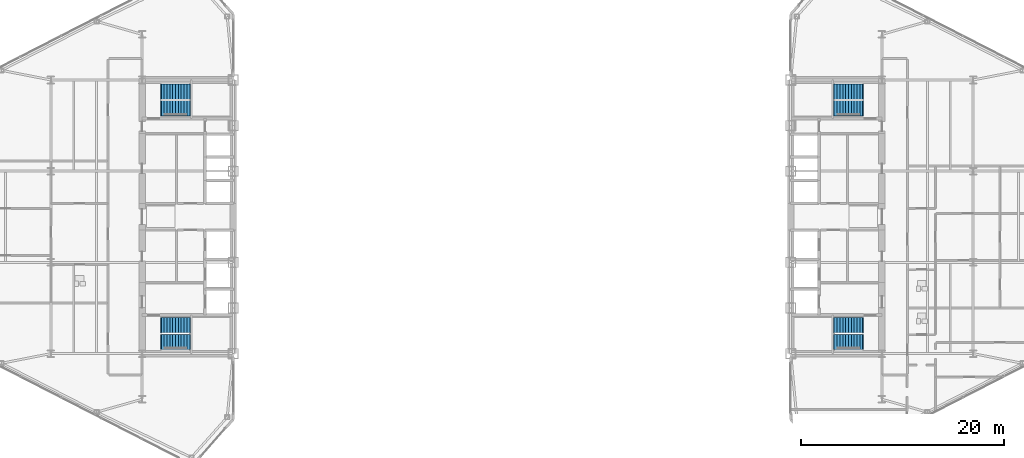
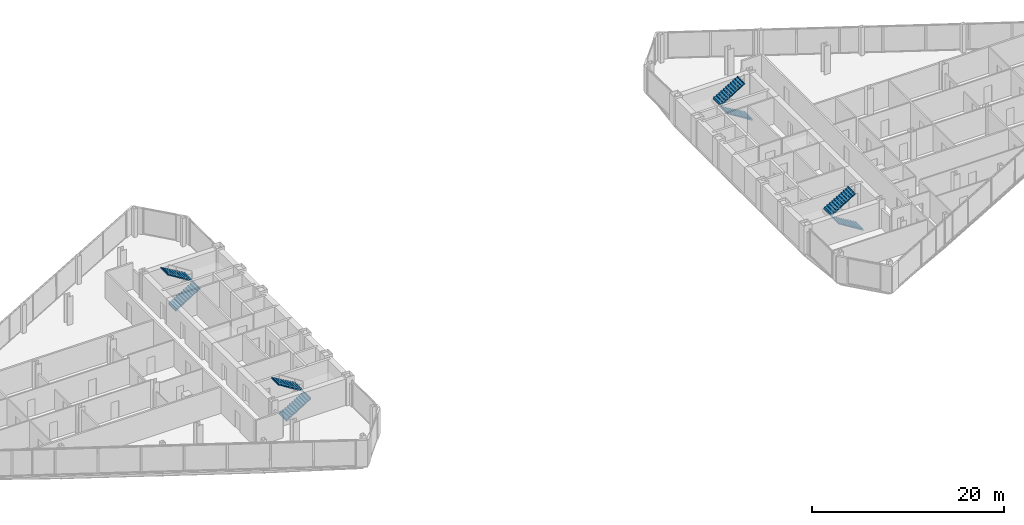
# One storey, part 21 of 23: 8 stair flights, 4 elements without a shape of their own.
"""IFC4 building model written with IfcOpenShell, lengths in metres."""

from ifc_helpers import new_model, si_unit, direction, frame, origin, place, context, subcontext, project, spatial, polyline, outline, extrude, material, type_object, element, aggregate, save


model = new_model("IFC4")

# Units and contexts
model_context = context("Model", 3, precision=1e-05, world=origin(), true_north=direction((0.0, 1.0)))
body_context = subcontext(model_context, "Body", "Model", "MODEL_VIEW")
ifc_project = project(units=[si_unit("LENGTHUNIT", "METRE"), si_unit("AREAUNIT", "SQUARE_METRE"), si_unit("VOLUMEUNIT", "CUBIC_METRE"), si_unit("PLANEANGLEUNIT", "RADIAN"), si_unit("MASSUNIT", "GRAM", prefix="KILO")], contexts=[model_context])

# Site, building, storey
site_placement = place(None, origin())
site = spatial("IfcSite", under=ifc_project, at=site_placement, CompositionType="ELEMENT")
building_placement = place(site_placement, origin())
building = spatial("IfcBuilding", under=site, at=building_placement, Name="Seokmaru Belvedere", CompositionType="ELEMENT")
storey_placement = place(building_placement, frame((0.0, 0.0, 132.0)))
storey = spatial("IfcBuildingStorey", under=building, at=storey_placement, Name="L35", CompositionType="ELEMENT", Elevation=132.0)

# Stair, stair flights
ifc_material = material(Name="Concrete C40 (40 MPa)", Category="concrete")
stair_type = type_object("IfcStairType", Name="Typical Tower Core Dog-Leg Stair 3600", PredefinedType="TWO_STRAIGHT_RUN_STAIR", material=ifc_material)
stair_1_placement = place(storey_placement, origin())
stair_1 = element("IfcStair", 1, at=stair_1_placement, inside=storey, type_object=stair_type, Name="L35 Special Escape Stair ST-W1", PredefinedType="TWO_STRAIGHT_RUN_STAIR")
stair_flight_type = type_object("IfcStairFlightType", Name="Reinforced Concrete Stair Flight 1500", PredefinedType="STRAIGHT", material=ifc_material)
stair_flight_1_placement = place(storey_placement, frame((-34.60009765625, -12.35009765625, 0.0), z_axis=(0.0, 0.0, 1.0), x_axis=(1.0, 0.0, 0.0)))
stair_flight_1 = element("IfcStairFlight", 2, at=stair_flight_1_placement, type_object=stair_flight_type, Name="ST-W1 flight 1", NumberOfRisers=11, NumberOfTreads=10, PredefinedType="STRAIGHT", RiserHeight=0.163636364, TreadLength=0.28, context=body_context, shape_type="SweptSolid", body=[
    extrude(outline(polyline([(-0.080078125, 0.0), (0.0, 0.16357421875), (0.280029296875, 0.16357421875), (0.280029296875, 0.327392578125), (0.56005859375, 0.327392578125), (0.56005859375, 0.490966796875), (0.840087890625, 0.490966796875), (0.840087890625, 0.654541015625), (1.1201171875, 0.654541015625), (1.1201171875, 0.818115234375), (1.39990234375, 0.818115234375), (1.39990234375, 0.98193359375), (1.679931640625, 0.98193359375), (1.679931640625, 1.1455078125), (1.9599609375, 1.1455078125), (1.9599609375, 1.30908203125), (2.239990234375, 1.30908203125), (2.239990234375, 1.47265625), (2.52001953125, 1.47265625), (2.52001953125, 1.636474609375), (2.800048828125, 1.636474609375), (2.800048828125, 1.800048828125), (2.8798828125, 1.800048828125), (2.8798828125, 1.610107421875), (2.800048828125, 1.610107421875), (0.0, -0.159912109375), (-0.080078125, -0.159912109375), (-0.080078125, 0.0)])), frame((0.0, 0.75, 0.0), z_axis=(0.0, -1.0, 0.0), x_axis=(1.0, 0.0, 0.0)), (0.0, 0.0, 1.0), 1.5),
])
stair_flight_2_placement = place(storey_placement, frame((-31.800048828125, -10.7099609375, 1.800048828125), z_axis=(0.0, 0.0, 1.0), x_axis=(-1.0, 0.0, 0.0)))
stair_flight_2 = element("IfcStairFlight", 3, at=stair_flight_2_placement, type_object=stair_flight_type, Name="ST-W1 flight 2", NumberOfRisers=11, NumberOfTreads=10, PredefinedType="STRAIGHT", RiserHeight=0.163636364, TreadLength=0.28, context=body_context, shape_type="SweptSolid", body=[
    extrude(outline(polyline([(-0.080078125, 0.0), (0.0, 0.16357421875), (0.280029296875, 0.16357421875), (0.280029296875, 0.327392578125), (0.56005859375, 0.327392578125), (0.56005859375, 0.490966796875), (0.840087890625, 0.490966796875), (0.840087890625, 0.654541015625), (1.1201171875, 0.654541015625), (1.1201171875, 0.818115234375), (1.39990234375, 0.818115234375), (1.39990234375, 0.98193359375), (1.679931640625, 0.98193359375), (1.679931640625, 1.1455078125), (1.9599609375, 1.1455078125), (1.9599609375, 1.30908203125), (2.239990234375, 1.30908203125), (2.239990234375, 1.47265625), (2.52001953125, 1.47265625), (2.52001953125, 1.636474609375), (2.800048828125, 1.636474609375), (2.800048828125, 1.800048828125), (2.8798828125, 1.800048828125), (2.8798828125, 1.610107421875), (2.800048828125, 1.610107421875), (0.0, -0.159912109375), (-0.080078125, -0.159912109375), (-0.080078125, 0.0)])), frame((0.0, 0.75, 0.0), z_axis=(0.0, -1.0, 0.0), x_axis=(1.0, 0.0, 0.0)), (0.0, 0.0, 1.0), 1.5),
])
aggregate(stair_1, [stair_flight_1, stair_flight_2])

stair_2_placement = place(storey_placement, origin())
stair_2 = element("IfcStair", 4, at=stair_2_placement, inside=storey, type_object=stair_type, Name="L35 Special Escape Stair ST-W2", PredefinedType="TWO_STRAIGHT_RUN_STAIR")
stair_flight_3_placement = place(storey_placement, frame((-34.60009765625, 10.7099609375, 0.0), z_axis=(0.0, 0.0, 1.0), x_axis=(1.0, 0.0, 0.0)))
stair_flight_3 = element("IfcStairFlight", 5, at=stair_flight_3_placement, type_object=stair_flight_type, Name="ST-W2 flight 1", NumberOfRisers=11, NumberOfTreads=10, PredefinedType="STRAIGHT", RiserHeight=0.163636364, TreadLength=0.28, context=body_context, shape_type="SweptSolid", body=[
    extrude(outline(polyline([(-0.080078125, 0.0), (0.0, 0.16357421875), (0.280029296875, 0.16357421875), (0.280029296875, 0.327392578125), (0.56005859375, 0.327392578125), (0.56005859375, 0.490966796875), (0.840087890625, 0.490966796875), (0.840087890625, 0.654541015625), (1.1201171875, 0.654541015625), (1.1201171875, 0.818115234375), (1.39990234375, 0.818115234375), (1.39990234375, 0.98193359375), (1.679931640625, 0.98193359375), (1.679931640625, 1.1455078125), (1.9599609375, 1.1455078125), (1.9599609375, 1.30908203125), (2.239990234375, 1.30908203125), (2.239990234375, 1.47265625), (2.52001953125, 1.47265625), (2.52001953125, 1.636474609375), (2.800048828125, 1.636474609375), (2.800048828125, 1.800048828125), (2.8798828125, 1.800048828125), (2.8798828125, 1.610107421875), (2.800048828125, 1.610107421875), (0.0, -0.159912109375), (-0.080078125, -0.159912109375), (-0.080078125, 0.0)])), frame((0.0, 0.75, 0.0), z_axis=(0.0, -1.0, 0.0), x_axis=(1.0, 0.0, 0.0)), (0.0, 0.0, 1.0), 1.5),
])
stair_flight_4_placement = place(storey_placement, frame((-31.800048828125, 12.35009765625, 1.800048828125), z_axis=(0.0, 0.0, 1.0), x_axis=(-1.0, 0.0, 0.0)))
stair_flight_4 = element("IfcStairFlight", 6, at=stair_flight_4_placement, type_object=stair_flight_type, Name="ST-W2 flight 2", NumberOfRisers=11, NumberOfTreads=10, PredefinedType="STRAIGHT", RiserHeight=0.163636364, TreadLength=0.28, context=body_context, shape_type="SweptSolid", body=[
    extrude(outline(polyline([(-0.080078125, 0.0), (0.0, 0.16357421875), (0.280029296875, 0.16357421875), (0.280029296875, 0.327392578125), (0.56005859375, 0.327392578125), (0.56005859375, 0.490966796875), (0.840087890625, 0.490966796875), (0.840087890625, 0.654541015625), (1.1201171875, 0.654541015625), (1.1201171875, 0.818115234375), (1.39990234375, 0.818115234375), (1.39990234375, 0.98193359375), (1.679931640625, 0.98193359375), (1.679931640625, 1.1455078125), (1.9599609375, 1.1455078125), (1.9599609375, 1.30908203125), (2.239990234375, 1.30908203125), (2.239990234375, 1.47265625), (2.52001953125, 1.47265625), (2.52001953125, 1.636474609375), (2.800048828125, 1.636474609375), (2.800048828125, 1.800048828125), (2.8798828125, 1.800048828125), (2.8798828125, 1.610107421875), (2.800048828125, 1.610107421875), (0.0, -0.159912109375), (-0.080078125, -0.159912109375), (-0.080078125, 0.0)])), frame((0.0, 0.75, 0.0), z_axis=(0.0, -1.0, 0.0), x_axis=(1.0, 0.0, 0.0)), (0.0, 0.0, 1.0), 1.5),
])
aggregate(stair_2, [stair_flight_3, stair_flight_4])

stair_3_placement = place(storey_placement, origin())
stair_3 = element("IfcStair", 7, at=stair_3_placement, inside=storey, type_object=stair_type, Name="L35 Special Escape Stair ST-E1", PredefinedType="TWO_STRAIGHT_RUN_STAIR")
stair_flight_5_placement = place(storey_placement, frame((34.60009765625, -12.35009765625, 0.0), z_axis=(0.0, 0.0, 1.0), x_axis=(-1.0, 0.0, 0.0)))
stair_flight_5 = element("IfcStairFlight", 8, at=stair_flight_5_placement, type_object=stair_flight_type, Name="ST-E1 flight 1", NumberOfRisers=11, NumberOfTreads=10, PredefinedType="STRAIGHT", RiserHeight=0.163636364, TreadLength=0.28, context=body_context, shape_type="SweptSolid", body=[
    extrude(outline(polyline([(-0.080078125, 0.0), (0.0, 0.16357421875), (0.280029296875, 0.16357421875), (0.280029296875, 0.327392578125), (0.56005859375, 0.327392578125), (0.56005859375, 0.490966796875), (0.840087890625, 0.490966796875), (0.840087890625, 0.654541015625), (1.1201171875, 0.654541015625), (1.1201171875, 0.818115234375), (1.39990234375, 0.818115234375), (1.39990234375, 0.98193359375), (1.679931640625, 0.98193359375), (1.679931640625, 1.1455078125), (1.9599609375, 1.1455078125), (1.9599609375, 1.30908203125), (2.239990234375, 1.30908203125), (2.239990234375, 1.47265625), (2.52001953125, 1.47265625), (2.52001953125, 1.636474609375), (2.800048828125, 1.636474609375), (2.800048828125, 1.800048828125), (2.8798828125, 1.800048828125), (2.8798828125, 1.610107421875), (2.800048828125, 1.610107421875), (0.0, -0.159912109375), (-0.080078125, -0.159912109375), (-0.080078125, 0.0)])), frame((0.0, 0.75, 0.0), z_axis=(0.0, -1.0, 0.0), x_axis=(1.0, 0.0, 0.0)), (0.0, 0.0, 1.0), 1.5),
])
stair_flight_6_placement = place(storey_placement, frame((31.800048828125, -10.7099609375, 1.800048828125), z_axis=(0.0, 0.0, 1.0), x_axis=(1.0, 0.0, 0.0)))
stair_flight_6 = element("IfcStairFlight", 9, at=stair_flight_6_placement, type_object=stair_flight_type, Name="ST-E1 flight 2", NumberOfRisers=11, NumberOfTreads=10, PredefinedType="STRAIGHT", RiserHeight=0.163636364, TreadLength=0.28, context=body_context, shape_type="SweptSolid", body=[
    extrude(outline(polyline([(-0.080078125, 0.0), (0.0, 0.16357421875), (0.280029296875, 0.16357421875), (0.280029296875, 0.327392578125), (0.56005859375, 0.327392578125), (0.56005859375, 0.490966796875), (0.840087890625, 0.490966796875), (0.840087890625, 0.654541015625), (1.1201171875, 0.654541015625), (1.1201171875, 0.818115234375), (1.39990234375, 0.818115234375), (1.39990234375, 0.98193359375), (1.679931640625, 0.98193359375), (1.679931640625, 1.1455078125), (1.9599609375, 1.1455078125), (1.9599609375, 1.30908203125), (2.239990234375, 1.30908203125), (2.239990234375, 1.47265625), (2.52001953125, 1.47265625), (2.52001953125, 1.636474609375), (2.800048828125, 1.636474609375), (2.800048828125, 1.800048828125), (2.8798828125, 1.800048828125), (2.8798828125, 1.610107421875), (2.800048828125, 1.610107421875), (0.0, -0.159912109375), (-0.080078125, -0.159912109375), (-0.080078125, 0.0)])), frame((0.0, 0.75, 0.0), z_axis=(0.0, -1.0, 0.0), x_axis=(1.0, 0.0, 0.0)), (0.0, 0.0, 1.0), 1.5),
])
aggregate(stair_3, [stair_flight_5, stair_flight_6])

stair_4_placement = place(storey_placement, origin())
stair_4 = element("IfcStair", 10, at=stair_4_placement, inside=storey, type_object=stair_type, Name="L35 Special Escape Stair ST-E2", PredefinedType="TWO_STRAIGHT_RUN_STAIR")
stair_flight_7_placement = place(storey_placement, frame((34.60009765625, 10.7099609375, 0.0), z_axis=(0.0, 0.0, 1.0), x_axis=(-1.0, 0.0, 0.0)))
stair_flight_7 = element("IfcStairFlight", 11, at=stair_flight_7_placement, type_object=stair_flight_type, Name="ST-E2 flight 1", NumberOfRisers=11, NumberOfTreads=10, PredefinedType="STRAIGHT", RiserHeight=0.163636364, TreadLength=0.28, context=body_context, shape_type="SweptSolid", body=[
    extrude(outline(polyline([(-0.080078125, 0.0), (0.0, 0.16357421875), (0.280029296875, 0.16357421875), (0.280029296875, 0.327392578125), (0.56005859375, 0.327392578125), (0.56005859375, 0.490966796875), (0.840087890625, 0.490966796875), (0.840087890625, 0.654541015625), (1.1201171875, 0.654541015625), (1.1201171875, 0.818115234375), (1.39990234375, 0.818115234375), (1.39990234375, 0.98193359375), (1.679931640625, 0.98193359375), (1.679931640625, 1.1455078125), (1.9599609375, 1.1455078125), (1.9599609375, 1.30908203125), (2.239990234375, 1.30908203125), (2.239990234375, 1.47265625), (2.52001953125, 1.47265625), (2.52001953125, 1.636474609375), (2.800048828125, 1.636474609375), (2.800048828125, 1.800048828125), (2.8798828125, 1.800048828125), (2.8798828125, 1.610107421875), (2.800048828125, 1.610107421875), (0.0, -0.159912109375), (-0.080078125, -0.159912109375), (-0.080078125, 0.0)])), frame((0.0, 0.75, 0.0), z_axis=(0.0, -1.0, 0.0), x_axis=(1.0, 0.0, 0.0)), (0.0, 0.0, 1.0), 1.5),
])
stair_flight_8_placement = place(storey_placement, frame((31.800048828125, 12.35009765625, 1.800048828125), z_axis=(0.0, 0.0, 1.0), x_axis=(1.0, 0.0, 0.0)))
stair_flight_8 = element("IfcStairFlight", 12, at=stair_flight_8_placement, type_object=stair_flight_type, Name="ST-E2 flight 2", NumberOfRisers=11, NumberOfTreads=10, PredefinedType="STRAIGHT", RiserHeight=0.163636364, TreadLength=0.28, context=body_context, shape_type="SweptSolid", body=[
    extrude(outline(polyline([(-0.080078125, 0.0), (0.0, 0.16357421875), (0.280029296875, 0.16357421875), (0.280029296875, 0.327392578125), (0.56005859375, 0.327392578125), (0.56005859375, 0.490966796875), (0.840087890625, 0.490966796875), (0.840087890625, 0.654541015625), (1.1201171875, 0.654541015625), (1.1201171875, 0.818115234375), (1.39990234375, 0.818115234375), (1.39990234375, 0.98193359375), (1.679931640625, 0.98193359375), (1.679931640625, 1.1455078125), (1.9599609375, 1.1455078125), (1.9599609375, 1.30908203125), (2.239990234375, 1.30908203125), (2.239990234375, 1.47265625), (2.52001953125, 1.47265625), (2.52001953125, 1.636474609375), (2.800048828125, 1.636474609375), (2.800048828125, 1.800048828125), (2.8798828125, 1.800048828125), (2.8798828125, 1.610107421875), (2.800048828125, 1.610107421875), (0.0, -0.159912109375), (-0.080078125, -0.159912109375), (-0.080078125, 0.0)])), frame((0.0, 0.75, 0.0), z_axis=(0.0, -1.0, 0.0), x_axis=(1.0, 0.0, 0.0)), (0.0, 0.0, 1.0), 1.5),
])
aggregate(stair_4, [stair_flight_7, stair_flight_8])

save(model, "model.ifc")
